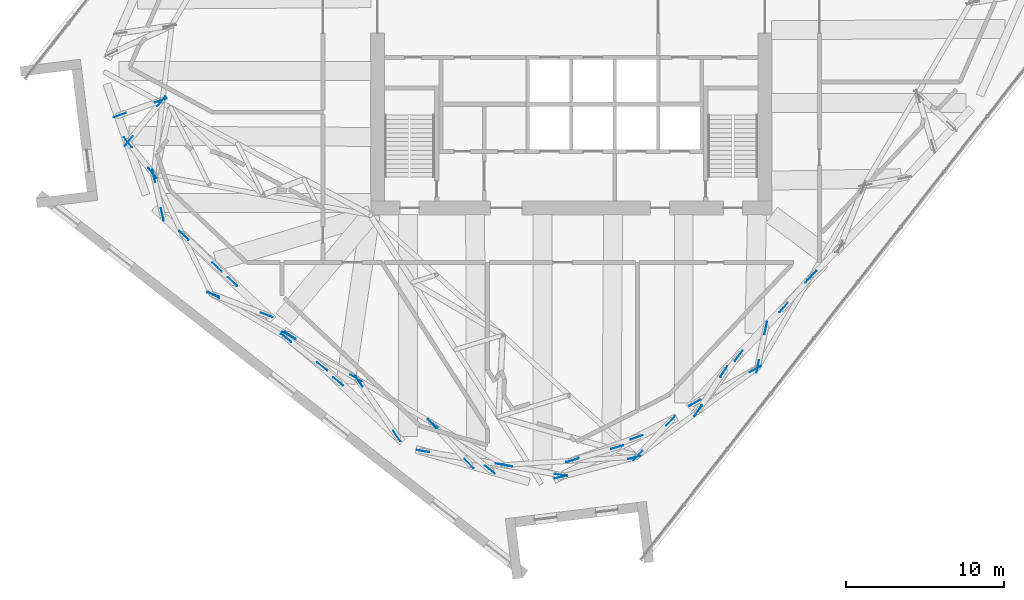
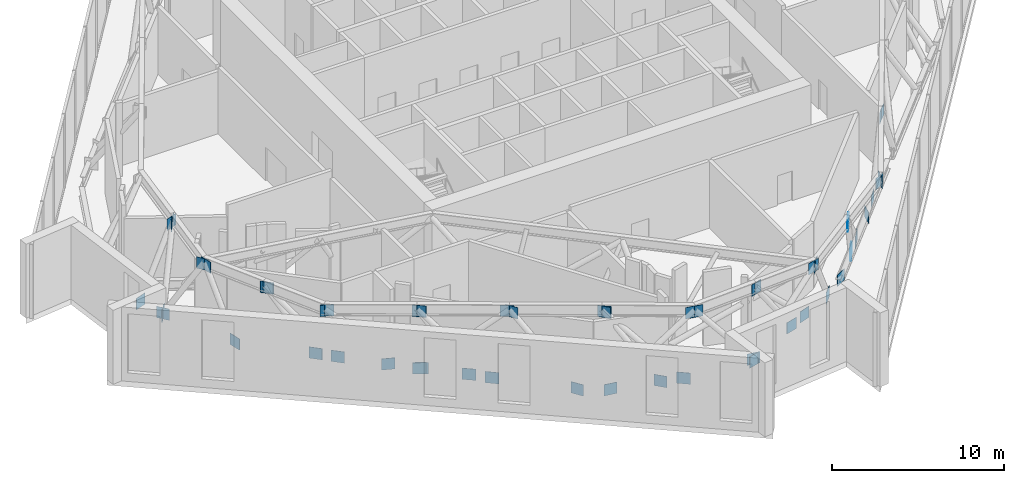
# One storey, part 17 of 23: 51 discrete accessories.
"""IFC4 building model written with IfcOpenShell, lengths in metres."""

import ifcopenshell
import ifcopenshell.guid

model = None  # the IFC model being written
_history = None  # IfcOwnerHistory: only IFC2X3 demands one
_inside = {}  # id of a spatial element -> (the spatial element, [elements in it])
_under = {}  # id of a project, library or spatial element -> (it, [spatial elements below it])
_declared = {}  # id of a project -> (the project, [libraries it declares])
_typed = {}  # id of a type object -> (the type object, [elements of that type])
_made_of = {}  # id of a material, layer set ... -> (it, [elements and type objects made of it])


def new_model(schema):
    """Start an empty IFC model of exactly this schema.

    Asked for "IFC4X3", IfcOpenShell would pick the latest addendum, in which some entities
    have other attributes; the version numbers below select the first issue.
    IFC2X3 requires an IfcOwnerHistory on every rooted entity: one is made here for all.
    """
    global model, _history
    if schema == "IFC4X3":
        model = ifcopenshell.file(schema_version=(4, 3, 0, 0))
    else:
        model = ifcopenshell.file(schema=schema)
    _inside.clear()
    _under.clear()
    _declared.clear()
    _typed.clear()
    _made_of.clear()
    _history = None
    if model.schema == "IFC2X3":
        org = make("IfcOrganization", Name="unknown")
        user = make(
            "IfcPersonAndOrganization",
            ThePerson=make("IfcPerson", FamilyName="unknown"),
            TheOrganization=org,
        )
        app = make(
            "IfcApplication",
            ApplicationDeveloper=org,
            Version="unknown",
            ApplicationFullName="unknown",
            ApplicationIdentifier="unknown",
        )
        _history = make(
            "IfcOwnerHistory",
            OwningUser=user,
            OwningApplication=app,
            ChangeAction="ADDED",
            CreationDate=0,
        )
    return model


def make(cls, **values):
    """One entity of the class cls with the attributes given. An attribute that is None is left unset."""
    return model.create_entity(
        cls, **{name: value for name, value in values.items() if value is not None}
    )


def rooted(cls, **values):
    """An entity with a GlobalId (a new one), such as an element, a storey or a relation."""
    return make(cls, GlobalId=ifcopenshell.guid.new(), OwnerHistory=_history, **values)


def si_unit(unit_type, name, prefix=None):
    """IfcSIUnit, for example si_unit("LENGTHUNIT", "METRE", prefix="MILLI")."""
    return make("IfcSIUnit", UnitType=unit_type, Prefix=prefix, Name=name)


def assignment(units):
    """IfcUnitAssignment: the units of a project."""
    return None if units is None else make("IfcUnitAssignment", Units=units)


def point(xyz):
    """IfcCartesianPoint."""
    return None if xyz is None else make("IfcCartesianPoint", Coordinates=xyz)


def direction(xyz):
    """IfcDirection."""
    return None if xyz is None else make("IfcDirection", DirectionRatios=xyz)


def frame(location, z_axis=None, x_axis=None):
    """IfcAxis2Placement3D, a coordinate frame: its origin and axes. An axis left out is left unset."""
    return make(
        "IfcAxis2Placement3D",
        Location=point(location),
        Axis=direction(z_axis),
        RefDirection=direction(x_axis),
    )


def frame_2d(location, x_axis=None):
    """IfcAxis2Placement2D, a coordinate frame in the plane: its origin and x axis."""
    return make(
        "IfcAxis2Placement2D", Location=point(location), RefDirection=direction(x_axis)
    )


def origin():
    """The frame at (0, 0, 0) with its axes left unset."""
    return frame((0.0, 0.0, 0.0))


def origin_2d():
    """The frame at (0, 0) in the plane with its x axis left unset."""
    return frame_2d((0.0, 0.0))


def place(relative_to, where):
    """IfcLocalPlacement: puts the frame where relative to a parent placement (None: the world)."""
    return make(
        "IfcLocalPlacement", PlacementRelTo=relative_to, RelativePlacement=where
    )


def context(
    kind, dimensions, precision=None, world=None, true_north=None, identifier=None
):
    """IfcGeometricRepresentationContext, for example the 3D "Model" context."""
    return make(
        "IfcGeometricRepresentationContext",
        ContextIdentifier=identifier,
        ContextType=kind,
        CoordinateSpaceDimension=dimensions,
        Precision=precision,
        WorldCoordinateSystem=world,
        TrueNorth=true_north,
    )


def subcontext(parent, identifier, kind, view, scale=None):
    """IfcGeometricRepresentationSubContext, for example "Body" below "Model"."""
    return make(
        "IfcGeometricRepresentationSubContext",
        ContextIdentifier=identifier,
        ContextType=kind,
        ParentContext=parent,
        TargetScale=scale,
        TargetView=view,
    )


def project(units=None, contexts=None):
    """IfcProject with its units and contexts."""
    return rooted(
        "IfcProject",
        Name="project",
        RepresentationContexts=contexts,
        UnitsInContext=assignment(units),
    )


def spatial(cls, under=None, at=None, **own):
    """A site, building, storey or space (cls), placed at a placement, below another one or the project."""
    s = rooted(cls, ObjectPlacement=at, **own)
    if under is not None:
        _under.setdefault(under.id(), (under, []))[1].append(s)
    return s


def profile(cls, at=None, kind="AREA", **sizes):
    """A parametric profile (cls). Its sizes go by their IFC names, for example OverallWidth=200.0."""
    return make(cls, ProfileType=kind, Position=at, **sizes)


def rectangle(**sizes):
    """IfcRectangleProfileDef."""
    return profile("IfcRectangleProfileDef", **sizes)


def extrude(swept, where, along, depth):
    """IfcExtrudedAreaSolid: the profile swept, set in the frame where, extruded along a direction by depth."""
    return make(
        "IfcExtrudedAreaSolid",
        SweptArea=swept,
        Position=where,
        ExtrudedDirection=direction(along),
        Depth=depth,
    )


def shape(context_of_items, identifier, shape_type, items):
    """IfcShapeRepresentation: the items that make up one representation, for example the "Body"."""
    return make(
        "IfcShapeRepresentation",
        ContextOfItems=context_of_items,
        RepresentationIdentifier=identifier,
        RepresentationType=shape_type,
        Items=items,
    )


def material(Name=None, Category=None):
    """IfcMaterial."""
    return make("IfcMaterial", Name=Name, Category=Category)


def layer(
    of_material, thickness, ventilated=None, Name=None, Category=None, Priority=None
):
    """IfcMaterialLayer: one layer of a wall or slab, of a material (None: an air gap)."""
    return make(
        "IfcMaterialLayer",
        Material=of_material,
        LayerThickness=thickness,
        IsVentilated=ventilated,
        Name=Name,
        Category=Category,
        Priority=Priority,
    )


def layer_set(layers, Name=None):
    """IfcMaterialLayerSet."""
    return make("IfcMaterialLayerSet", MaterialLayers=layers, LayerSetName=Name)


def made_of(thing, what):
    """Note that an element or type object is made of a material, layer set ...; save() writes the relation."""
    if what is not None:
        _made_of.setdefault(what.id(), (what, []))[1].append(thing)
    return thing


def type_object(cls, material=None, **own):
    """A type object (cls), such as IfcWallType, which elements share."""
    return made_of(rooted(cls, **own), material)


def element(
    cls,
    number,
    at=None,
    inside=None,
    cuts=None,
    type_object=None,
    material=None,
    context=None,
    identifier="Body",
    shape_type=None,
    held_by="IfcProductDefinitionShape",
    body=None,
    shapes=None,
    **own,
):
    """One element of the class cls, such as IfcWall. Its Tag is "e" and its number.

    at: its placement. inside: the storey or other place that contains it. cuts: it is an
    opening in that element (IfcRelVoidsElement). A single representation is given by context,
    identifier, shape_type and body (its items); several are given by shapes. held_by: the class
    of the entity that holds the representations. save() writes the other relations.
    """
    e = rooted(cls, Tag="e%d" % number, ObjectPlacement=at, **own)
    if body is not None:
        shapes = [shape(context, identifier, shape_type, body)]
    if shapes is not None:
        e.Representation = make(held_by, Representations=shapes)
    if inside is not None:
        _inside.setdefault(inside.id(), (inside, []))[1].append(e)
    if cuts is not None:
        rooted(
            "IfcRelVoidsElement", RelatingBuildingElement=cuts, RelatedOpeningElement=e
        )
    if type_object is not None:
        _typed.setdefault(type_object.id(), (type_object, []))[1].append(e)
    return made_of(e, material)


def aggregate(whole, parts):
    """IfcRelAggregates: a whole, such as a stair, and the parts it consists of."""
    return rooted("IfcRelAggregates", RelatingObject=whole, RelatedObjects=parts)


def save(model, path):
    """Write the relations noted so far, then the file.

    IfcRelAggregates (storeys below a building ...), IfcRelContainedInSpatialStructure (elements
    in a storey), IfcRelDefinesByType, IfcRelAssociatesMaterial and IfcRelDeclares: one each for
    every whole, place, type object, material and project.
    """
    for whole, parts in _under.values():
        aggregate(whole, parts)
    for where, things in _inside.values():
        rooted(
            "IfcRelContainedInSpatialStructure",
            RelatedElements=things,
            RelatingStructure=where,
        )
    for kind, things in _typed.values():
        rooted("IfcRelDefinesByType", RelatedObjects=things, RelatingType=kind)
    for what, things in _made_of.values():
        rooted("IfcRelAssociatesMaterial", RelatedObjects=things, RelatingMaterial=what)
    for by, libraries in _declared.values():
        rooted("IfcRelDeclares", RelatingContext=by, RelatedDefinitions=libraries)
    model.write(path)


model = new_model("IFC4")

# Units and contexts
model_context = context("Model", 3, precision=1e-05, world=origin(), true_north=direction((0.0, 1.0)))
body_context = subcontext(model_context, "Body", "Model", "MODEL_VIEW")
ifc_project = project(units=[si_unit("LENGTHUNIT", "METRE"), si_unit("AREAUNIT", "SQUARE_METRE"), si_unit("VOLUMEUNIT", "CUBIC_METRE"), si_unit("PLANEANGLEUNIT", "RADIAN"), si_unit("MASSUNIT", "GRAM", prefix="KILO")], contexts=[model_context])

# Site, building, storey
site_placement = place(None, origin())
site = spatial("IfcSite", under=ifc_project, at=site_placement, CompositionType="ELEMENT")
building_placement = place(site_placement, origin())
building = spatial("IfcBuilding", under=site, at=building_placement, Name="Dilmun Exchange Tower", CompositionType="ELEMENT")
storey_placement = place(building_placement, frame((0.0, 0.0, 237.300048828125)))
storey = spatial("IfcBuildingStorey", under=building, at=storey_placement, Name="L56", CompositionType="ELEMENT", Elevation=237.300048828125)

# Discrete accessories
ifc_material = material(Name="Steel S355J2", Category="steel")
ifc_layer = layer(ifc_material, 0.02490234375)
ifc_layer_set = layer_set([ifc_layer], Name="Steel S355J2")
discrete_accessory_type = type_object("IfcDiscreteAccessoryType", Name="Gusset plate 25 x 800 x 800", PredefinedType="BRACKET", material=ifc_layer_set)
for number, where, z_axis, x_axis, name in (
    (1, (-25.946044921875, -5.458984375, 4.2666015625), (0.0, 0.0, 1.0), (-0.942767848306, -0.333449822612, 0.0), "Gusset plate L56-DG15 end 1"),
    (2, (-28.551513671875, -6.380615234375, 0.1162109375), (0.0, 0.0, 1.0), (-0.942767848306, -0.333449822612, 0.0), "Gusset plate L56-DG15 end 2"),
    (3, (-25.91943359375, -5.516845703125, 4.27490234375), (0.0, 0.0, 1.0), (-0.635202430824, -0.77234569454, 0.0), "Gusset plate L56-DG16 end 1"),
    (4, (-27.977783203125, -8.019775390625, 0.10791015625), (0.0, 0.0, 1.0), (-0.635202430824, -0.77234569454, 0.0), "Gusset plate L56-DG16 end 2"),
    (5, (-26.392578125, -10.22265625, 4.26171875), (0.0, 0.0, 1.0), (0.21597270472, -0.976399401278, 0.0), "Gusset plate L56-DG17 end 1"),
    (6, (-25.85498046875, -12.653564453125, 0.12109375), (0.0, 0.0, 1.0), (0.21597270472, -0.976399401278, 0.0), "Gusset plate L56-DG17 end 2"),
    (7, (-26.47900390625, -10.041259765625, 4.26171875), (0.0, 0.0, 1.0), (-0.622087014282, 0.782948112369, 0.0), "Gusset plate L56-DG18 end 1"),
    (8, (-28.028564453125, -8.09130859375, 0.12109375), (0.0, 0.0, 1.0), (-0.622087014282, 0.782948112369, 0.0), "Gusset plate L56-DG18 end 2"),
    (9, (-24.50341796875, -13.9814453125, 4.26953125), (0.0, 0.0, 1.0), (0.723421582488, -0.690406557031, 0.0), "Gusset plate L56-DG19 end 1"),
    (10, (-22.390869140625, -15.997314453125, 0.11376953125), (0.0, 0.0, 1.0), (0.723421582488, -0.690406557031, 0.0), "Gusset plate L56-DG19 end 2"),
    (11, (-24.48388671875, -13.99951171875, 4.29150390625), (0.0, 0.0, 1.0), (0.724703642921, -0.689060686687, 0.0), "Gusset plate L56-DG20 end 1"),
    (12, (-21.427978515625, -16.9052734375, 0.09130859375), (0.0, 0.0, 1.0), (0.724703642921, -0.689060686687, 0.0), "Gusset plate L56-DG20 end 2"),
    (13, (-22.6357421875, -17.728515625, 4.28173828125), (0.0, 0.0, 1.0), (0.934217548824, -0.356703758698, 0.0), "Gusset plate L56-DG21 end 1"),
    (14, (-19.2607421875, -19.017333984375, 0.10107421875), (0.0, 0.0, 1.0), (0.934217548824, -0.356703758698, 0.0), "Gusset plate L56-DG21 end 2"),
    (15, (-22.619873046875, -17.755859375, 4.30859375), (0.0, 0.0, 1.0), (0.881769011013, -0.4716814722, 0.0), "Gusset plate L56-DG22 end 1"),
    (16, (-17.9169921875, -20.271484375, 0.07421875), (0.0, 0.0, 1.0), (0.881769011013, -0.4716814722, 0.0), "Gusset plate L56-DG22 end 2"),
    (17, (-18.0380859375, -20.459716796875, 4.26953125), (0.0, 0.0, 1.0), (0.783748743698, -0.621078019859, 0.0), "Gusset plate L56-DG23 end 1"),
    (18, (-15.740966796875, -22.280029296875, 0.11328125), (0.0, 0.0, 1.0), (0.783748743698, -0.621078019859, 0.0), "Gusset plate L56-DG23 end 2"),
    (19, (-18.01904296875, -20.4794921875, 4.29296875), (0.0, 0.0, 1.0), (0.767133803757, -0.641487121565, 0.0), "Gusset plate L56-DG24 end 1"),
    (20, (-14.7412109375, -23.220458984375, 0.09033203125), (0.0, 0.0, 1.0), (0.767133803757, -0.641487121565, 0.0), "Gusset plate L56-DG24 end 2"),
    (21, (-13.418701171875, -23.210205078125, 4.29150390625), (0.0, 0.0, 1.0), (0.568449854738, -0.822717911953, 0.0), "Gusset plate L56-DG25 end 1"),
    (22, (-11.031982421875, -26.664794921875, 0.09130859375), (0.0, 0.0, 1.0), (0.568449854738, -0.822717911953, 0.0), "Gusset plate L56-DG25 end 2"),
    (23, (-13.62646484375, -23.010986328125, 4.30322265625), (0.0, 0.0, 1.0), (-0.838236840436, 0.545306335316, 0.0), "Gusset plate L56-DG26 end 1"),
    (24, (-17.77392578125, -20.31298828125, 0.07958984375), (0.0, 0.0, 1.0), (-0.838236840436, 0.545306335316, 0.0), "Gusset plate L56-DG26 end 2"),
    (25, (-8.783447265625, -25.893310546875, 4.2783203125), (0.0, 0.0, 1.0), (0.678177627017, -0.734898024364, 0.0), "Gusset plate L56-DG27 end 1"),
    (26, (-6.4580078125, -28.413330078125, 0.1044921875), (0.0, 0.0, 1.0), (0.678177627017, -0.734898024364, 0.0), "Gusset plate L56-DG27 end 2"),
    (27, (-8.754150390625, -25.892822265625, 4.29833984375), (0.0, 0.0, 1.0), (0.778859822005, -0.62719803704, 0.0), "Gusset plate L56-DG28 end 1"),
    (28, (-5.141845703125, -28.8017578125, 0.08447265625), (0.0, 0.0, 1.0), (0.778859822005, -0.62719803704, 0.0), "Gusset plate L56-DG28 end 2"),
    (29, (-4.11328125, -28.5283203125, 4.27978515625), (0.0, 0.0, 1.0), (0.984838348109, -0.173474574778, 0.0), "Gusset plate L56-DG29 end 1"),
    (30, (-0.659912109375, -29.13671875, 0.10302734375), (0.0, 0.0, 1.0), (0.984838348109, -0.173474574778, 0.0), "Gusset plate L56-DG29 end 2"),
    (31, (-4.39111328125, -28.47998046875, 4.3046875), (0.0, 0.0, 1.0), (-0.985563447386, 0.169306500692, 0.0), "Gusset plate L56-DG30 end 1"),
    (32, (-9.365234375, -27.62548828125, 0.078125), (0.0, 0.0, 1.0), (-0.985563447386, 0.169306500692, 0.0), "Gusset plate L56-DG30 end 2"),
    (33, (0.06201171875, -28.2119140625, 4.27001953125), (0.0, 0.0, 1.0), (0.959576701736, 0.281447248138, 0.0), "Gusset plate L56-DG31 end 1"),
    (34, (2.914794921875, -27.375, 0.11279296875), (0.0, 0.0, 1.0), (0.959576701736, 0.281447248138, 0.0), "Gusset plate L56-DG31 end 2"),
    (35, (0.085205078125, -28.196533203125, 4.29296875), (0.0, 0.0, 1.0), (0.942111889407, 0.335298654692, 0.0), "Gusset plate L56-DG32 end 1"),
    (36, (4.138916015625, -26.75390625, 0.08984375), (0.0, 0.0, 1.0), (0.942111889407, 0.335298654692, 0.0), "Gusset plate L56-DG32 end 2"),
    (37, (4.22119140625, -27.898193359375, 4.2705078125), (0.0, 0.0, 1.0), (0.687489397135, 0.726194415309, 0.0), "Gusset plate L56-DG33 end 1"),
    (38, (6.275634765625, -25.728271484375, 0.1123046875), (0.0, 0.0, 1.0), (0.687489397135, 0.726194415309, 0.0), "Gusset plate L56-DG33 end 2"),
    (39, (3.99560546875, -28.021484375, 4.30126953125), (0.0, 0.0, 1.0), (-0.966501622709, -0.256660502026, 0.0), "Gusset plate L56-DG34 end 1"),
    (40, (-0.655517578125, -29.256591796875, 0.08203125), (0.0, 0.0, 1.0), (-0.966501622709, -0.256660502026, 0.0), "Gusset plate L56-DG34 end 2"),
    (41, (8.018798828125, -25.080322265625, 4.27001953125), (0.0, 0.0, 1.0), (0.548408532288, 0.836210548674, 0.0), "Gusset plate L56-DG35 end 1"),
    (42, (9.645751953125, -22.599609375, 0.11279296875), (0.0, 0.0, 1.0), (0.548408532288, 0.836210548674, 0.0), "Gusset plate L56-DG35 end 2"),
    (43, (8.039794921875, -25.062255859375, 4.29296875), (0.0, 0.0, 1.0), (0.592201648374, 0.805789803648, 0.0), "Gusset plate L56-DG36 end 1"),
    (44, (10.5849609375, -21.598876953125, 0.08984375), (0.0, 0.0, 1.0), (0.592201648374, 0.805789803648, 0.0), "Gusset plate L56-DG36 end 2"),
    (45, (11.64306640625, -22.442138671875, 4.29443359375), (0.0, 0.0, 1.0), (-0.873818055184, -0.486253027172, 0.0), "Gusset plate L56-DG37 end 1"),
    (46, (7.822021484375, -24.568359375, 0.08837890625), (0.0, 0.0, 1.0), (-0.873818055184, -0.486253027172, 0.0), "Gusset plate L56-DG37 end 2"),
    (47, (11.7900390625, -22.27099609375, 4.26171875), (0.0, 0.0, 1.0), (0.204678851985, 0.978829182008, 0.0), "Gusset plate L56-DG38 end 1"),
    (48, (12.300048828125, -19.83251953125, 0.12109375), (0.0, 0.0, 1.0), (0.204678851985, 0.978829182008, 0.0), "Gusset plate L56-DG38 end 2"),
    (49, (15.216796875, -16.52587890625, 4.26171875), (0.0, 0.0, 1.0), (0.711148040659, 0.703042291947, 0.0), "Gusset plate L56-DG39 end 1"),
    (50, (15.075439453125, -16.676025390625, 4.26171875), (0.0, 0.0, 1.0), (-0.659816768317, -0.751426531504, 0.0), "Gusset plate L56-DG40 end 1"),
    (51, (13.428955078125, -18.551025390625, 0.12109375), (0.0, 0.0, 1.0), (-0.659816768317, -0.751426531504, 0.0), "Gusset plate L56-DG40 end 2"),
):
    element("IfcDiscreteAccessory", number, at=place(storey_placement, frame(where, z_axis=z_axis, x_axis=x_axis)), inside=storey, type_object=discrete_accessory_type, Name=name, PredefinedType="BRACKET", context=body_context, shape_type="SweptSolid", body=[
        extrude(rectangle(XDim=0.800048828125, YDim=0.02490234375, at=origin_2d()), origin(), (0.0, 0.0, 1.0), 0.800048828125),
    ])

save(model, "model.ifc")
